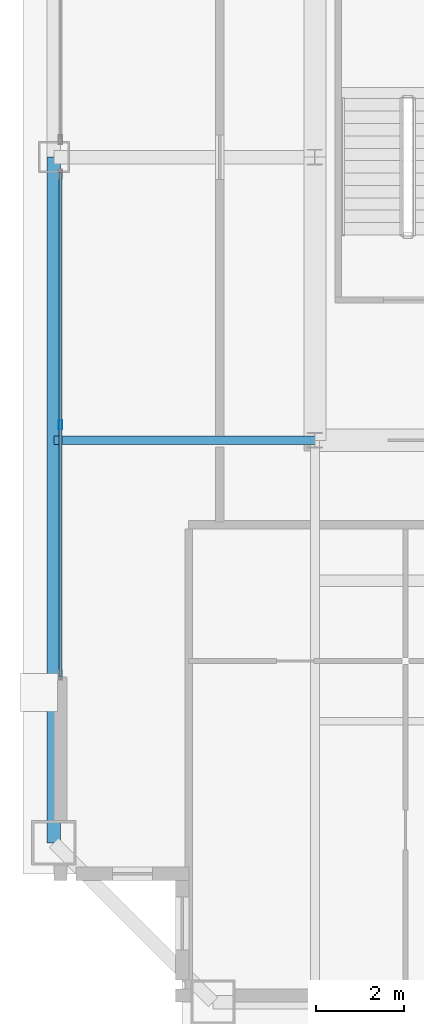
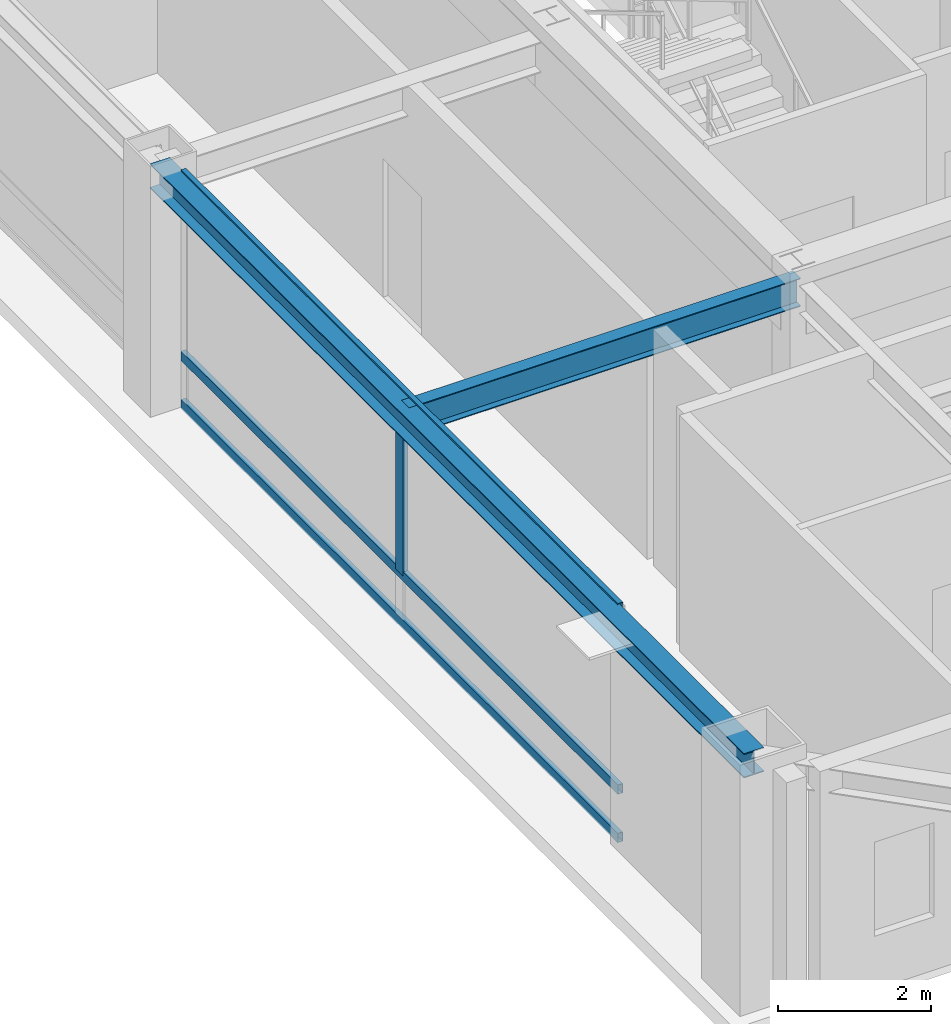
# One storey, part 6 of 34: 4 members, 2 beams, 1 element without a shape of its own.
"""IFC4 building model written with IfcOpenShell, lengths in metres."""

from ifc_helpers import new_model, si_unit, direction, frame, origin, origin_2d, place, context, subcontext, project, spatial, hollow_rectangle, i_section, extrude, source, transform, mapped, material, layer, layer_set, material_profile, profile_set, type_object, element, aggregate, save


model = new_model("IFC4")

# Units and contexts
model_context = context("Model", 3, precision=1e-05, world=origin(), true_north=direction((0.0, 1.0)))
body_context = subcontext(model_context, "Body", "Model", "MODEL_VIEW")
ifc_project = project(units=[si_unit("LENGTHUNIT", "METRE"), si_unit("AREAUNIT", "SQUARE_METRE"), si_unit("VOLUMEUNIT", "CUBIC_METRE"), si_unit("PLANEANGLEUNIT", "RADIAN"), si_unit("MASSUNIT", "GRAM", prefix="KILO"), si_unit("THERMODYNAMICTEMPERATUREUNIT", "KELVIN"), si_unit("POWERUNIT", "WATT")], contexts=[model_context])

# Site, building, storey
site_placement = place(None, origin())
site = spatial("IfcSite", under=ifc_project, at=site_placement, CompositionType="ELEMENT")
building_placement = place(site_placement, origin())
building = spatial("IfcBuilding", under=site, at=building_placement, Name="Yuzanri Waterfront Tower", CompositionType="ELEMENT")
storey_placement = place(building_placement, frame((0.0, 0.0, 339.199951171875)))
storey = spatial("IfcBuildingStorey", under=building, at=storey_placement, Name="L91", CompositionType="ELEMENT", Elevation=339.199951171875)

# Beams
ifc_material_1 = material(Name="Steel Q355B", Category="steel")
ifc_material_profile_1 = material_profile(ifc_material_1, i_section(OverallWidth=0.300048828125, OverallDepth=0.389892578125, WebThickness=0.010009765625, FlangeThickness=0.01611328125, at=origin_2d()), Name="HM 390x300x10x16")
ifc_profile_set_1 = profile_set([ifc_material_profile_1], Name="Steel Q355B")
beam_type_1 = type_object("IfcBeamType", Name="Perimeter Spandrel Q355B HM 390x300", PredefinedType="SPANDREL", material=ifc_profile_set_1)
shared_shape_1 = source(origin(), body_context, "Body", "SweptSolid", [
    extrude(i_section(OverallWidth=0.300048828125, OverallDepth=0.389892578125, WebThickness=0.010009765625, FlangeThickness=0.01611328125, at=origin_2d()), origin(), (0.0, 0.0, 1.0), 15.5),
])
beam_1_placement = place(storey_placement, frame((17.89990234375, 25.800048828125, 3.56494140625), z_axis=(0.0, -1.0, 0.0), x_axis=(1.0, 0.0, 0.0)))
element("IfcBeam", 1, at=beam_1_placement, inside=storey, type_object=beam_type_1, Name="L91 Perimeter Spandrel W2-W1", PredefinedType="SPANDREL", context=body_context, shape_type="MappedRepresentation", body=[
    mapped(shared_shape_1, transform((0.0, 0.0, 0.0), scale=1.0)),
])
ifc_material_2 = material(Name="Steel Q355B", Category="steel")
ifc_material_profile_2 = material_profile(ifc_material_2, i_section(OverallWidth=0.199951171875, OverallDepth=0.449951171875, WebThickness=0.009033203125, FlangeThickness=0.013916015625, at=origin_2d()), Name="HN 450x200x9x14")
ifc_profile_set_2 = profile_set([ifc_material_profile_2], Name="Steel Q355B")
beam_type_2 = type_object("IfcBeamType", Name="Secondary Floor Beam Q355B HN 450x200", PredefinedType="BEAM", material=ifc_profile_set_2)
shared_shape_2 = source(origin(), body_context, "Body", "SweptSolid", [
    extrude(i_section(OverallWidth=0.199951171875, OverallDepth=0.449951171875, WebThickness=0.009033203125, FlangeThickness=0.013916015625, at=origin_2d()), origin(), (0.0, 0.0, 1.0), 5.900146484375),
])
beam_2_placement = place(storey_placement, frame((23.800048828125, 19.39990234375, 3.53515625), z_axis=(-1.0, 0.0, 0.0), x_axis=(0.0, -1.0, 0.0)))
element("IfcBeam", 2, at=beam_2_placement, inside=storey, type_object=beam_type_2, Name="L91 West-South Core Line Beam", PredefinedType="BEAM", context=body_context, shape_type="MappedRepresentation", body=[
    mapped(shared_shape_2, transform((0.0, 0.0, 0.0), scale=1.0)),
])

# Curtain wall, members
ifc_material_3 = material(Name="Anodized Architectural Bronze", Category="metal")
ifc_layer = layer(ifc_material_3, 0.159912109375)
ifc_layer_set = layer_set([ifc_layer], Name="Anodized Architectural Bronze")
curtain_wall_type = type_object("IfcCurtainWallType", Name="Anodized Bronze High-Rise Penthouse High-Wind Unitized Curtain Wall 6900", PredefinedType="NOTDEFINED", material=ifc_layer_set)
curtain_wall_placement = place(storey_placement, origin())
curtain_wall = element("IfcCurtainWall", 3, at=curtain_wall_placement, inside=storey, type_object=curtain_wall_type, Name="L91 Curtain Wall CW-L91-WL", PredefinedType="NOTDEFINED")
ifc_material_4 = material(Name="Anodized Architectural Bronze", Category="metal")
ifc_material_profile_3 = material_profile(ifc_material_4, hollow_rectangle(XDim=0.074951171875, YDim=0.14990234375, WallThickness=0.00390625, at=origin_2d()), Name="CWT 75x150")
ifc_profile_set_3 = profile_set([ifc_material_profile_3], Name="Anodized Architectural Bronze")
member_type_1 = type_object("IfcMemberType", Name="Anodized Bronze Primary Curtain-Wall Transom 75x150", PredefinedType="USERDEFINED", material=ifc_profile_set_3)
shared_shape_3 = source(origin(), body_context, "Body", "SweptSolid", [
    extrude(hollow_rectangle(XDim=0.074951171875, YDim=0.14990234375, WallThickness=0.00390625, at=origin_2d()), origin(), (0.0, 0.0, 1.0), 11.39990234375),
])
member_1_placement = place(storey_placement, frame((18.050048828125, 14.050048828125, 0.050048828125), z_axis=(0.0, 1.0, 0.0), x_axis=(-1.0, 0.0, 0.0)))
member_1 = element("IfcMember", 4, at=member_1_placement, type_object=member_type_1, Name="CW-L91-WL Transom 1", ObjectType="TRANSOM", PredefinedType="USERDEFINED", context=body_context, shape_type="MappedRepresentation", body=[
    mapped(shared_shape_3, transform((0.0, 0.0, 0.0), scale=1.0)),
])
member_2_placement = place(storey_placement, frame((18.050048828125, 14.050048828125, 0.820068359375), z_axis=(0.0, 1.0, 0.0), x_axis=(-1.0, 0.0, 0.0)))
member_2 = element("IfcMember", 5, at=member_2_placement, type_object=member_type_1, Name="CW-L91-WL Transom 2", ObjectType="TRANSOM", PredefinedType="USERDEFINED", context=body_context, shape_type="MappedRepresentation", body=[
    mapped(shared_shape_3, transform((0.0, 0.0, 0.0), scale=1.0)),
])
member_3_placement = place(storey_placement, frame((18.050048828125, 14.050048828125, 3.7099609375), z_axis=(0.0, 1.0, 0.0), x_axis=(-1.0, 0.0, 0.0)))
member_3 = element("IfcMember", 6, at=member_3_placement, type_object=member_type_1, Name="CW-L91-WL Transom 3", ObjectType="TRANSOM", PredefinedType="USERDEFINED", context=body_context, shape_type="MappedRepresentation", body=[
    mapped(shared_shape_3, transform((0.0, 0.0, 0.0), scale=1.0)),
])
ifc_material_5 = material(Name="Anodized Architectural Bronze", Category="metal")
ifc_material_profile_4 = material_profile(ifc_material_5, hollow_rectangle(XDim=0.074951171875, YDim=0.199951171875, WallThickness=0.00390625, at=origin_2d()), Name="CWM 75x200")
ifc_profile_set_4 = profile_set([ifc_material_profile_4], Name="Anodized Architectural Bronze")
member_type_2 = type_object("IfcMemberType", Name="Anodized Bronze Primary Curtain-Wall Mullion 75x200", PredefinedType="MULLION", material=ifc_profile_set_4)
shared_shape_4 = source(origin(), body_context, "Body", "SweptSolid", [
    extrude(hollow_rectangle(XDim=0.074951171875, YDim=0.199951171875, WallThickness=0.00390625, at=origin_2d()), origin(), (0.0, 0.0, 1.0), 2.93798828125),
])
member_4_placement = place(storey_placement, frame((18.050048828125, 19.75, 0.822021484375), z_axis=(0.0, 0.0, 1.0), x_axis=(1.0, 0.0, 0.0)))
member_4 = element("IfcMember", 7, at=member_4_placement, type_object=member_type_2, Name="CW-L91-WL Upper Mullion 01", PredefinedType="MULLION", context=body_context, shape_type="MappedRepresentation", body=[
    mapped(shared_shape_4, transform((0.0, 0.0, 0.0), scale=1.0)),
])
aggregate(curtain_wall, [member_4, member_1, member_2, member_3])

save(model, "model.ifc")
